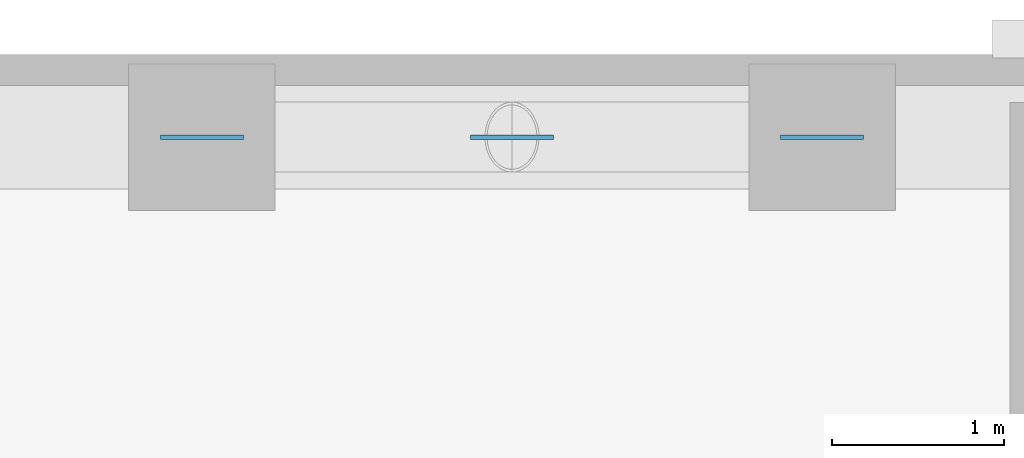
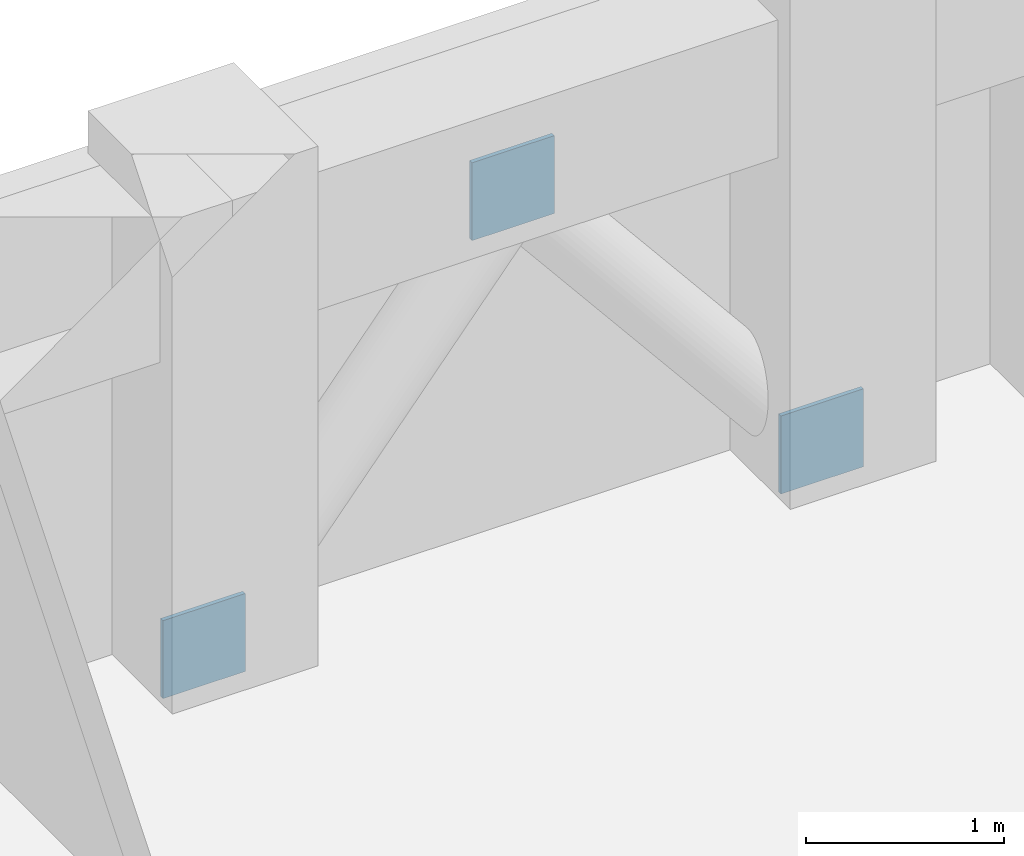
# One storey, part 10 of 12: 3 discrete accessories.
"""IFC4 building model written with IfcOpenShell, lengths in metres."""

from ifc_helpers import new_model, si_unit, derived_unit, direction, frame, origin, origin_2d, place, context, subcontext, project, spatial, rectangle, extrude, material, layer, layer_set, type_object, element, save


model = new_model("IFC4")

# Units and contexts
model_context = context("Model", 3, precision=1e-05, world=origin(), true_north=direction((0.0, 1.0)))
body_context = subcontext(model_context, "Body", "Model", "MODEL_VIEW")
ifc_project = project(units=[si_unit("LENGTHUNIT", "METRE"), si_unit("AREAUNIT", "SQUARE_METRE"), si_unit("VOLUMEUNIT", "CUBIC_METRE"), si_unit("PLANEANGLEUNIT", "RADIAN"), si_unit("MASSUNIT", "GRAM", prefix="KILO"), derived_unit("THERMALTRANSMITTANCEUNIT", [(si_unit("MASSUNIT", "GRAM", prefix="KILO"), 1), (si_unit("TIMEUNIT", "SECOND"), -3), (si_unit("THERMODYNAMICTEMPERATUREUNIT", "KELVIN"), -1)])], contexts=[model_context])

# Site, building, storey
site_placement = place(None, origin())
site = spatial("IfcSite", under=ifc_project, at=site_placement, CompositionType="ELEMENT")
building_placement = place(site_placement, origin())
building = spatial("IfcBuilding", under=site, at=building_placement, Name="Korrvale Station Residences", CompositionType="ELEMENT")
storey_placement = place(building_placement, frame((0.0, 0.0, 81.5)))
storey = spatial("IfcBuildingStorey", under=building, at=storey_placement, Name="L22", CompositionType="ELEMENT", Elevation=81.5)

# Discrete accessories
ifc_material = material(Name="Steel S355", Category="steel")
ifc_layer = layer(ifc_material, 0.02490234375, Name="Steel S355")
ifc_layer_set = layer_set([ifc_layer], Name="Steel S355")
discrete_accessory_type = type_object("IfcDiscreteAccessoryType", Name="ACC-GUSSET-25", PredefinedType="BRACKET", material=ifc_layer_set)
for number, where, z_axis, x_axis, name in (
    (1, (23.199951171875, 42.820068359375, -0.219970703125), (0.0, 0.0, 1.0), (1.0, 0.0, 0.0), "L22 N Brace End Gusset Connection A"),
    (2, (26.800048828125, 42.820068359375, -0.219970703125), (0.0, 0.0, 1.0), (1.0, 0.0, 0.0), "L22 N Brace End Gusset Connection B"),
    (3, (25.0, 42.820068359375, 1.969970703125), (0.0, 0.0, 1.0), (1.0, 0.0, 0.0), "L22 N Brace End Gusset Connection M"),
):
    element("IfcDiscreteAccessory", number, at=place(storey_placement, frame(where, z_axis=z_axis, x_axis=x_axis)), inside=storey, type_object=discrete_accessory_type, Name=name, PredefinedType="BRACKET", context=body_context, shape_type="SweptSolid", body=[
        extrude(rectangle(XDim=0.47998046875, YDim=0.02490234375, at=origin_2d()), origin(), (0.0, 0.0, 1.0), 0.47998046875),
    ])

save(model, "model.ifc")
